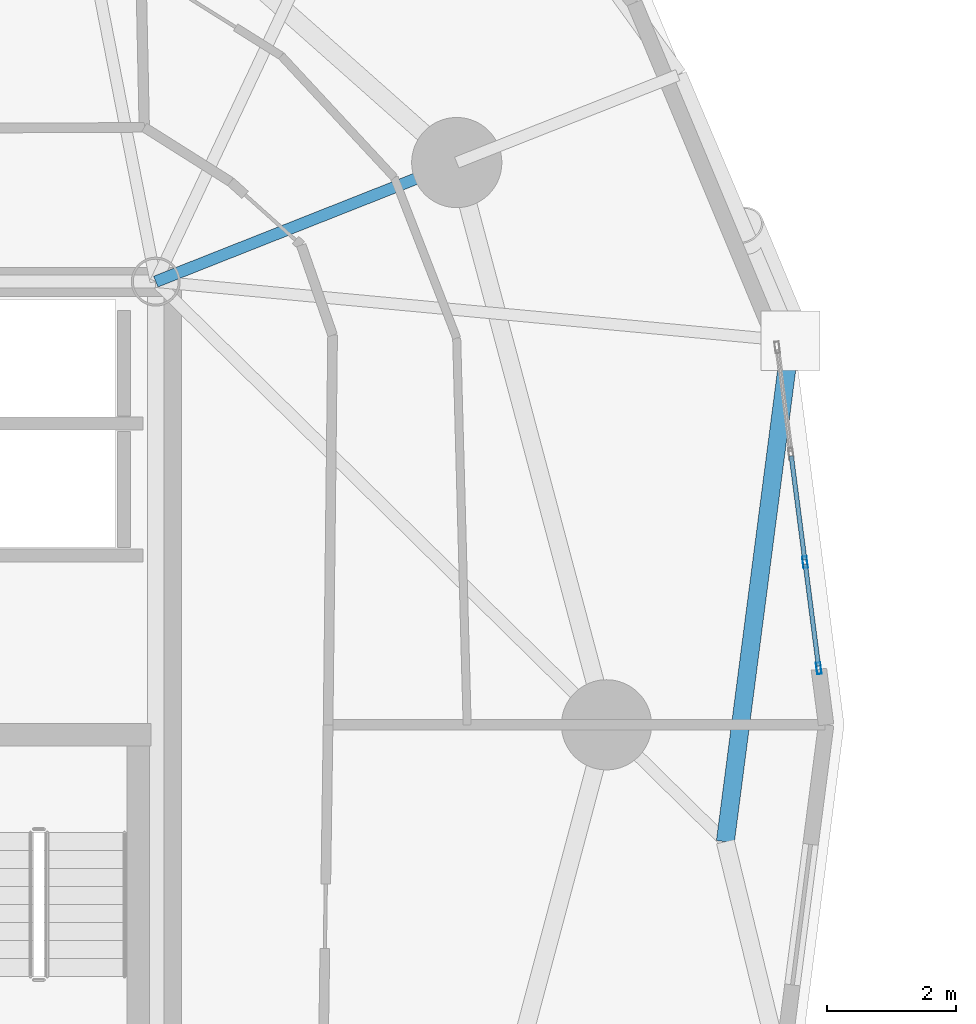
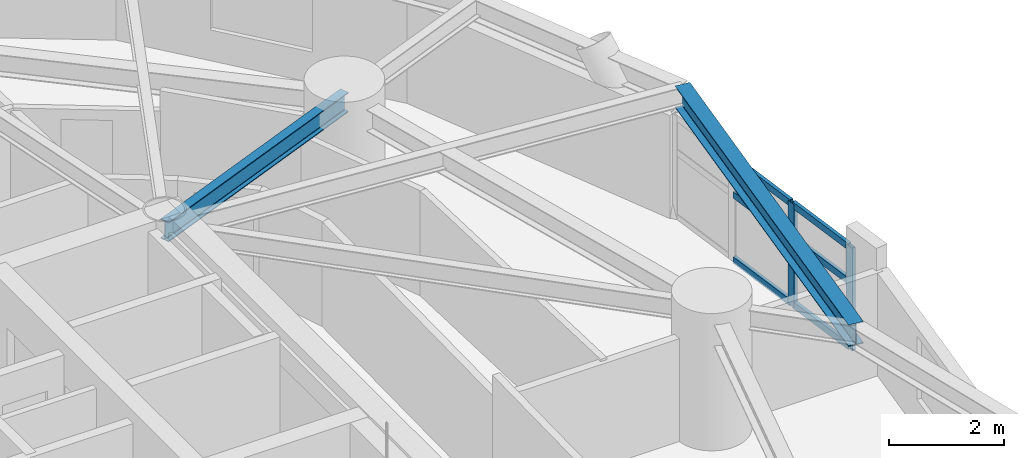
# One storey, part 2 of 18: 8 members, 2 beams, 1 element without a shape of its own.
"""IFC4 building model written with IfcOpenShell, lengths in metres."""

from ifc_helpers import new_model, si_unit, direction, frame, origin, origin_2d, place, context, subcontext, project, spatial, hollow_rectangle, i_section, extrude, material, layer, layer_set, material_profile, profile_set, type_object, element, aggregate, save


model = new_model("IFC4")

# Units and contexts
model_context = context("Model", 3, precision=1e-05, world=origin(), true_north=direction((0.0, 1.0)))
body_context = subcontext(model_context, "Body", "Model", "MODEL_VIEW")
ifc_project = project(units=[si_unit("LENGTHUNIT", "METRE"), si_unit("AREAUNIT", "SQUARE_METRE"), si_unit("VOLUMEUNIT", "CUBIC_METRE"), si_unit("PLANEANGLEUNIT", "RADIAN"), si_unit("MASSUNIT", "GRAM", prefix="KILO")], contexts=[model_context])

# Site, building, storey
site_placement = place(None, origin())
site = spatial("IfcSite", under=ifc_project, at=site_placement, CompositionType="ELEMENT")
building_placement = place(site_placement, origin())
building = spatial("IfcBuilding", under=site, at=building_placement, Name="Cununo Teusaquillo Station Towers", CompositionType="ELEMENT")
storey_placement = place(building_placement, frame((0.0, 0.0, 93.429931640625)))
storey = spatial("IfcBuildingStorey", under=building, at=storey_placement, Name="L29", CompositionType="ELEMENT", Elevation=93.429931640625)

# Beams
ifc_material_1 = material(Name="Steel ASTM A572 Grade 50", Category="steel")
ifc_material_profile_1 = material_profile(ifc_material_1, i_section(OverallWidth=0.180908203125, OverallDepth=0.4169921875, WebThickness=0.010986328125, FlangeThickness=0.018310546875, FilletRadius=0.012939453125, at=origin_2d()), Name="W16X57")
ifc_profile_set_1 = profile_set([ifc_material_profile_1], Name="Steel ASTM A572 Grade 50")
beam_type_1 = type_object("IfcBeamType", Name="BM-RAD-G2", PredefinedType="BEAM", material=ifc_profile_set_1)
beam_1_placement = place(storey_placement, frame((21.675048828125, 31.3798828125, 2.461669921875), z_axis=(0.929864104313, 0.367903176814, 0.0), x_axis=(-0.367903176814, 0.929864104313, 0.0)))
element("IfcBeam", 1, at=beam_1_placement, inside=storey, type_object=beam_type_1, Name="L29 Tower A Radial Girder 02A", PredefinedType="BEAM", context=body_context, shape_type="SweptSolid", body=[
    extrude(i_section(OverallWidth=0.180908203125, OverallDepth=0.4169921875, WebThickness=0.010986328125, FlangeThickness=0.018310546875, FilletRadius=0.012939453125, at=origin_2d()), origin(), (0.0, 0.0, 1.0), 5.02490234375),
])
ifc_material_2 = material(Name="Steel ASTM A572 Grade 50", Category="steel")
ifc_material_profile_2 = material_profile(ifc_material_2, i_section(OverallWidth=0.280029296875, OverallDepth=0.462890625, WebThickness=0.0107421875, FlangeThickness=0.017333984375, FilletRadius=0.013916015625, at=origin_2d()), Name="W18X76")
ifc_profile_set_2 = profile_set([ifc_material_profile_2], Name="Steel ASTM A572 Grade 50")
beam_type_2 = type_object("IfcBeamType", Name="BM-RING-Z2", PredefinedType="SPANDREL", material=ifc_profile_set_2)
beam_2_placement = place(storey_placement, frame((30.51708984375, 22.685791015625, 2.4384765625), z_axis=(0.12888124113, 0.991660035337, 0.0), x_axis=(-0.991660035337, 0.12888124113, 0.0)))
element("IfcBeam", 2, at=beam_2_placement, inside=storey, type_object=beam_type_2, Name="L29 Tower A Spandrel Ring Beam 01", PredefinedType="SPANDREL", context=body_context, shape_type="SweptSolid", body=[
    extrude(i_section(OverallWidth=0.280029296875, OverallDepth=0.462890625, WebThickness=0.0107421875, FlangeThickness=0.017333984375, FilletRadius=0.013916015625, at=origin_2d()), origin(), (0.0, 0.0, 1.0), 7.840576171875),
])

# Curtain wall, members
ifc_material_3 = material(Name="Ceramic-fritted dark low-E double glazing", Category="glass")
ifc_layer = layer(ifc_material_3, 0.179931640625)
ifc_layer_set = layer_set([ifc_layer], Name="Ceramic-fritted dark low-E double glazing")
curtain_wall_type = type_object("IfcCurtainWallType", Name="CW-SYS-04", PredefinedType="USERDEFINED", material=ifc_layer_set)
curtain_wall_placement = place(storey_placement, origin())
curtain_wall = element("IfcCurtainWall", 3, at=curtain_wall_placement, inside=storey, type_object=curtain_wall_type, Name="L29 Tower A Facade Curtain Wall C00", ObjectType="FRITTED GLAZING", PredefinedType="USERDEFINED")
ifc_material_4 = material(Name="Anodised dark bronze aluminium EN AW-6063-T6", Category="aluminium")
ifc_material_profile_3 = material_profile(ifc_material_4, hollow_rectangle(XDim=0.070068359375, YDim=0.179931640625, WallThickness=0.00390625, at=origin_2d()), Name="CW-MULL-70x180")
ifc_profile_set_3 = profile_set([ifc_material_profile_3], Name="Anodised dark bronze aluminium EN AW-6063-T6")
member_type_1 = type_object("IfcMemberType", Name="CWM-180", PredefinedType="MULLION", material=ifc_profile_set_3)
member_1_placement = place(storey_placement, frame((31.754150390625, 27.0263671875, 0.0), z_axis=(0.0, 0.0, 1.0), x_axis=(0.991730764367, 0.128335852387, 0.0)))
member_1 = element("IfcMember", 4, at=member_1_placement, type_object=member_type_1, Name="CW-04 mullion 3", PredefinedType="MULLION", context=body_context, shape_type="SweptSolid", body=[
    extrude(hollow_rectangle(XDim=0.070068359375, YDim=0.179931640625, WallThickness=0.00390625, at=origin_2d()), origin(), (0.0, 0.0, 1.0), 2.178955078125),
])
member_2_placement = place(storey_placement, frame((31.967529296875, 25.377685546875, 0.0), z_axis=(0.0, 0.0, 1.0), x_axis=(0.991730764367, 0.128335852387, 0.0)))
member_2 = element("IfcMember", 5, at=member_2_placement, type_object=member_type_1, Name="CW-04 mullion 4", PredefinedType="MULLION", context=body_context, shape_type="SweptSolid", body=[
    extrude(hollow_rectangle(XDim=0.070068359375, YDim=0.179931640625, WallThickness=0.00390625, at=origin_2d()), origin(), (0.0, 0.0, 1.0), 2.178955078125),
])
ifc_material_5 = material(Name="Anodised dark bronze aluminium EN AW-6063-T6", Category="aluminium")
ifc_material_profile_4 = material_profile(ifc_material_5, hollow_rectangle(XDim=0.070068359375, YDim=0.139892578125, WallThickness=0.00390625, at=origin_2d()), Name="CW-TRAN-70x140")
ifc_profile_set_4 = profile_set([ifc_material_profile_4], Name="Anodised dark bronze aluminium EN AW-6063-T6")
member_type_2 = type_object("IfcMemberType", Name="CWT-140", PredefinedType="USERDEFINED", material=ifc_profile_set_4)
member_3_placement = place(storey_placement, frame((31.540771484375, 28.675048828125, 0.03515625), z_axis=(0.128261686134, -0.991740359101, 0.0), x_axis=(0.991740359101, 0.128261686134, 0.0)))
member_3 = element("IfcMember", 6, at=member_3_placement, type_object=member_type_2, Name="CW-04 transom 2.1", ObjectType="TRANSOM", PredefinedType="USERDEFINED", context=body_context, shape_type="SweptSolid", body=[
    extrude(hollow_rectangle(XDim=0.070068359375, YDim=0.139892578125, WallThickness=0.00390625, at=origin_2d()), origin(), (0.0, 0.0, 1.0), 1.62744140625),
])
member_4_placement = place(storey_placement, frame((31.540771484375, 28.675048828125, 1.416015625), z_axis=(0.128261686134, -0.991740359101, 0.0), x_axis=(0.991740359101, 0.128261686134, 0.0)))
member_4 = element("IfcMember", 7, at=member_4_placement, type_object=member_type_2, Name="CW-04 transom 2.2", ObjectType="TRANSOM", PredefinedType="USERDEFINED", context=body_context, shape_type="SweptSolid", body=[
    extrude(hollow_rectangle(XDim=0.070068359375, YDim=0.139892578125, WallThickness=0.00390625, at=origin_2d()), origin(), (0.0, 0.0, 1.0), 1.62744140625),
])
member_5_placement = place(storey_placement, frame((31.540771484375, 28.675048828125, 2.14404296875), z_axis=(0.128261686134, -0.991740359101, 0.0), x_axis=(0.991740359101, 0.128261686134, 0.0)))
member_5 = element("IfcMember", 8, at=member_5_placement, type_object=member_type_2, Name="CW-04 transom 2.3", ObjectType="TRANSOM", PredefinedType="USERDEFINED", context=body_context, shape_type="SweptSolid", body=[
    extrude(hollow_rectangle(XDim=0.070068359375, YDim=0.139892578125, WallThickness=0.00390625, at=origin_2d()), origin(), (0.0, 0.0, 1.0), 1.62744140625),
])
member_6_placement = place(storey_placement, frame((31.758544921875, 26.99169921875, 0.03515625), z_axis=(0.128316698748, -0.991733242774, 0.0), x_axis=(0.991733242774, 0.128316698748, 0.0)))
member_6 = element("IfcMember", 9, at=member_6_placement, type_object=member_type_2, Name="CW-04 transom 3.1", ObjectType="TRANSOM", PredefinedType="USERDEFINED", context=body_context, shape_type="SweptSolid", body=[
    extrude(hollow_rectangle(XDim=0.070068359375, YDim=0.139892578125, WallThickness=0.00390625, at=origin_2d()), origin(), (0.0, 0.0, 1.0), 1.592529296875),
])
member_7_placement = place(storey_placement, frame((31.758544921875, 26.99169921875, 1.416015625), z_axis=(0.128316698748, -0.991733242774, 0.0), x_axis=(0.991733242774, 0.128316698748, 0.0)))
member_7 = element("IfcMember", 10, at=member_7_placement, type_object=member_type_2, Name="CW-04 transom 3.2", ObjectType="TRANSOM", PredefinedType="USERDEFINED", context=body_context, shape_type="SweptSolid", body=[
    extrude(hollow_rectangle(XDim=0.070068359375, YDim=0.139892578125, WallThickness=0.00390625, at=origin_2d()), origin(), (0.0, 0.0, 1.0), 1.592529296875),
])
member_8_placement = place(storey_placement, frame((31.758544921875, 26.99169921875, 2.14404296875), z_axis=(0.128316698748, -0.991733242774, 0.0), x_axis=(0.991733242774, 0.128316698748, 0.0)))
member_8 = element("IfcMember", 11, at=member_8_placement, type_object=member_type_2, Name="CW-04 transom 3.3", ObjectType="TRANSOM", PredefinedType="USERDEFINED", context=body_context, shape_type="SweptSolid", body=[
    extrude(hollow_rectangle(XDim=0.070068359375, YDim=0.139892578125, WallThickness=0.00390625, at=origin_2d()), origin(), (0.0, 0.0, 1.0), 1.592529296875),
])
aggregate(curtain_wall, [member_1, member_2, member_3, member_4, member_5, member_6, member_7, member_8])

save(model, "model.ifc")
